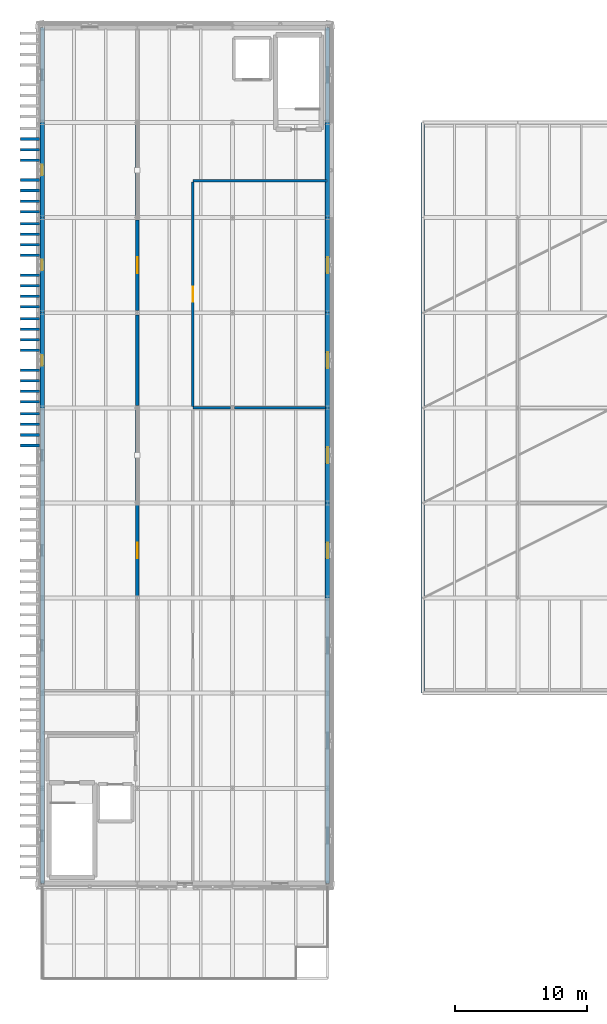
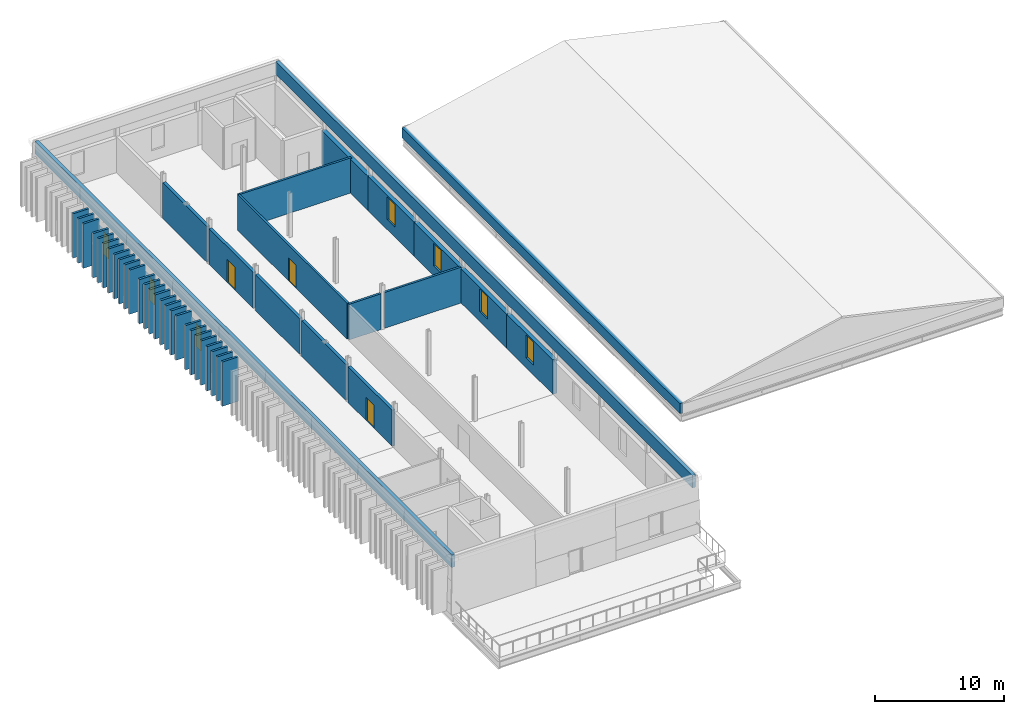
# One storey, part 33 of 44: 47 walls, 7 windows, 3 doors, 10 openings.
"""IFC4 building model written with IfcOpenShell, lengths in metres."""

import ifcopenshell
import ifcopenshell.guid

model = None  # the IFC model being written
_history = None  # IfcOwnerHistory: only IFC2X3 demands one
_inside = {}  # id of a spatial element -> (the spatial element, [elements in it])
_under = {}  # id of a project, library or spatial element -> (it, [spatial elements below it])
_declared = {}  # id of a project -> (the project, [libraries it declares])
_typed = {}  # id of a type object -> (the type object, [elements of that type])
_made_of = {}  # id of a material, layer set ... -> (it, [elements and type objects made of it])


def new_model(schema):
    """Start an empty IFC model of exactly this schema.

    Asked for "IFC4X3", IfcOpenShell would pick the latest addendum, in which some entities
    have other attributes; the version numbers below select the first issue.
    IFC2X3 requires an IfcOwnerHistory on every rooted entity: one is made here for all.
    """
    global model, _history
    if schema == "IFC4X3":
        model = ifcopenshell.file(schema_version=(4, 3, 0, 0))
    else:
        model = ifcopenshell.file(schema=schema)
    _inside.clear()
    _under.clear()
    _declared.clear()
    _typed.clear()
    _made_of.clear()
    _history = None
    if model.schema == "IFC2X3":
        org = make("IfcOrganization", Name="unknown")
        user = make(
            "IfcPersonAndOrganization",
            ThePerson=make("IfcPerson", FamilyName="unknown"),
            TheOrganization=org,
        )
        app = make(
            "IfcApplication",
            ApplicationDeveloper=org,
            Version="unknown",
            ApplicationFullName="unknown",
            ApplicationIdentifier="unknown",
        )
        _history = make(
            "IfcOwnerHistory",
            OwningUser=user,
            OwningApplication=app,
            ChangeAction="ADDED",
            CreationDate=0,
        )
    return model


def make(cls, **values):
    """One entity of the class cls with the attributes given. An attribute that is None is left unset."""
    return model.create_entity(
        cls, **{name: value for name, value in values.items() if value is not None}
    )


def rooted(cls, **values):
    """An entity with a GlobalId (a new one), such as an element, a storey or a relation."""
    return make(cls, GlobalId=ifcopenshell.guid.new(), OwnerHistory=_history, **values)


def si_unit(unit_type, name, prefix=None):
    """IfcSIUnit, for example si_unit("LENGTHUNIT", "METRE", prefix="MILLI")."""
    return make("IfcSIUnit", UnitType=unit_type, Prefix=prefix, Name=name)


def assignment(units):
    """IfcUnitAssignment: the units of a project."""
    return None if units is None else make("IfcUnitAssignment", Units=units)


def point(xyz):
    """IfcCartesianPoint."""
    return None if xyz is None else make("IfcCartesianPoint", Coordinates=xyz)


def direction(xyz):
    """IfcDirection."""
    return None if xyz is None else make("IfcDirection", DirectionRatios=xyz)


def frame(location, z_axis=None, x_axis=None):
    """IfcAxis2Placement3D, a coordinate frame: its origin and axes. An axis left out is left unset."""
    return make(
        "IfcAxis2Placement3D",
        Location=point(location),
        Axis=direction(z_axis),
        RefDirection=direction(x_axis),
    )


def frame_2d(location, x_axis=None):
    """IfcAxis2Placement2D, a coordinate frame in the plane: its origin and x axis."""
    return make(
        "IfcAxis2Placement2D", Location=point(location), RefDirection=direction(x_axis)
    )


def origin():
    """The frame at (0, 0, 0) with its axes left unset."""
    return frame((0.0, 0.0, 0.0))


def place(relative_to, where):
    """IfcLocalPlacement: puts the frame where relative to a parent placement (None: the world)."""
    return make(
        "IfcLocalPlacement", PlacementRelTo=relative_to, RelativePlacement=where
    )


def context(
    kind, dimensions, precision=None, world=None, true_north=None, identifier=None
):
    """IfcGeometricRepresentationContext, for example the 3D "Model" context."""
    return make(
        "IfcGeometricRepresentationContext",
        ContextIdentifier=identifier,
        ContextType=kind,
        CoordinateSpaceDimension=dimensions,
        Precision=precision,
        WorldCoordinateSystem=world,
        TrueNorth=true_north,
    )


def subcontext(parent, identifier, kind, view, scale=None):
    """IfcGeometricRepresentationSubContext, for example "Body" below "Model"."""
    return make(
        "IfcGeometricRepresentationSubContext",
        ContextIdentifier=identifier,
        ContextType=kind,
        ParentContext=parent,
        TargetScale=scale,
        TargetView=view,
    )


def project(units=None, contexts=None):
    """IfcProject with its units and contexts."""
    return rooted(
        "IfcProject",
        Name="project",
        RepresentationContexts=contexts,
        UnitsInContext=assignment(units),
    )


def spatial(cls, under=None, at=None, **own):
    """A site, building, storey or space (cls), placed at a placement, below another one or the project."""
    s = rooted(cls, ObjectPlacement=at, **own)
    if under is not None:
        _under.setdefault(under.id(), (under, []))[1].append(s)
    return s


def profile(cls, at=None, kind="AREA", **sizes):
    """A parametric profile (cls). Its sizes go by their IFC names, for example OverallWidth=200.0."""
    return make(cls, ProfileType=kind, Position=at, **sizes)


def rectangle(**sizes):
    """IfcRectangleProfileDef."""
    return profile("IfcRectangleProfileDef", **sizes)


def extrude(swept, where, along, depth):
    """IfcExtrudedAreaSolid: the profile swept, set in the frame where, extruded along a direction by depth."""
    return make(
        "IfcExtrudedAreaSolid",
        SweptArea=swept,
        Position=where,
        ExtrudedDirection=direction(along),
        Depth=depth,
    )


def shape(context_of_items, identifier, shape_type, items):
    """IfcShapeRepresentation: the items that make up one representation, for example the "Body"."""
    return make(
        "IfcShapeRepresentation",
        ContextOfItems=context_of_items,
        RepresentationIdentifier=identifier,
        RepresentationType=shape_type,
        Items=items,
    )


def material(Name=None, Category=None):
    """IfcMaterial."""
    return make("IfcMaterial", Name=Name, Category=Category)


def layer(
    of_material, thickness, ventilated=None, Name=None, Category=None, Priority=None
):
    """IfcMaterialLayer: one layer of a wall or slab, of a material (None: an air gap)."""
    return make(
        "IfcMaterialLayer",
        Material=of_material,
        LayerThickness=thickness,
        IsVentilated=ventilated,
        Name=Name,
        Category=Category,
        Priority=Priority,
    )


def layer_set(layers, Name=None):
    """IfcMaterialLayerSet."""
    return make("IfcMaterialLayerSet", MaterialLayers=layers, LayerSetName=Name)


def made_of(thing, what):
    """Note that an element or type object is made of a material, layer set ...; save() writes the relation."""
    if what is not None:
        _made_of.setdefault(what.id(), (what, []))[1].append(thing)
    return thing


def type_object(cls, material=None, **own):
    """A type object (cls), such as IfcWallType, which elements share."""
    return made_of(rooted(cls, **own), material)


def element(
    cls,
    number,
    at=None,
    inside=None,
    cuts=None,
    type_object=None,
    material=None,
    context=None,
    identifier="Body",
    shape_type=None,
    held_by="IfcProductDefinitionShape",
    body=None,
    shapes=None,
    **own,
):
    """One element of the class cls, such as IfcWall. Its Tag is "e" and its number.

    at: its placement. inside: the storey or other place that contains it. cuts: it is an
    opening in that element (IfcRelVoidsElement). A single representation is given by context,
    identifier, shape_type and body (its items); several are given by shapes. held_by: the class
    of the entity that holds the representations. save() writes the other relations.
    """
    e = rooted(cls, Tag="e%d" % number, ObjectPlacement=at, **own)
    if body is not None:
        shapes = [shape(context, identifier, shape_type, body)]
    if shapes is not None:
        e.Representation = make(held_by, Representations=shapes)
    if inside is not None:
        _inside.setdefault(inside.id(), (inside, []))[1].append(e)
    if cuts is not None:
        rooted(
            "IfcRelVoidsElement", RelatingBuildingElement=cuts, RelatedOpeningElement=e
        )
    if type_object is not None:
        _typed.setdefault(type_object.id(), (type_object, []))[1].append(e)
    return made_of(e, material)


def fill(opening, filler):
    """IfcRelFillsElement: the door or window that sits in an opening."""
    return rooted(
        "IfcRelFillsElement",
        RelatingOpeningElement=opening,
        RelatedBuildingElement=filler,
    )


def aggregate(whole, parts):
    """IfcRelAggregates: a whole, such as a stair, and the parts it consists of."""
    return rooted("IfcRelAggregates", RelatingObject=whole, RelatedObjects=parts)


def save(model, path):
    """Write the relations noted so far, then the file.

    IfcRelAggregates (storeys below a building ...), IfcRelContainedInSpatialStructure (elements
    in a storey), IfcRelDefinesByType, IfcRelAssociatesMaterial and IfcRelDeclares: one each for
    every whole, place, type object, material and project.
    """
    for whole, parts in _under.values():
        aggregate(whole, parts)
    for where, things in _inside.values():
        rooted(
            "IfcRelContainedInSpatialStructure",
            RelatedElements=things,
            RelatingStructure=where,
        )
    for kind, things in _typed.values():
        rooted("IfcRelDefinesByType", RelatedObjects=things, RelatingType=kind)
    for what, things in _made_of.values():
        rooted("IfcRelAssociatesMaterial", RelatedObjects=things, RelatingMaterial=what)
    for by, libraries in _declared.values():
        rooted("IfcRelDeclares", RelatingContext=by, RelatedDefinitions=libraries)
    model.write(path)


model = new_model("IFC4")

# Units and contexts
model_context = context("Model", 3, precision=1e-05, world=origin(), true_north=direction((0.0, 1.0)))
body_context = subcontext(model_context, "Body", "Model", "MODEL_VIEW")
ifc_project = project(units=[si_unit("LENGTHUNIT", "METRE"), si_unit("AREAUNIT", "SQUARE_METRE"), si_unit("VOLUMEUNIT", "CUBIC_METRE"), si_unit("PLANEANGLEUNIT", "RADIAN"), si_unit("MASSUNIT", "GRAM", prefix="KILO")], contexts=[model_context])

# Site, building, storey
site_placement = place(None, origin())
site = spatial("IfcSite", under=ifc_project, at=site_placement, CompositionType="ELEMENT")
building_placement = place(site_placement, origin())
building = spatial("IfcBuilding", under=site, at=building_placement, Name="Narikvali Park Central Library", CompositionType="ELEMENT")
storey_placement = place(building_placement, frame((0.0, 0.0, 22.800048828125)))
storey = spatial("IfcBuildingStorey", under=building, at=storey_placement, Name="L05", CompositionType="ELEMENT", Elevation=22.800048828125)

# Walls
ifc_material_1 = material(Name="Cleanroom Gypsum on Steel Studs", Category="steel")
ifc_layer_1 = layer(ifc_material_1, 0.18994140625, Name="Cleanroom Gypsum on Steel Studs")
ifc_layer_set_1 = layer_set([ifc_layer_1], Name="Cleanroom Gypsum on Steel Studs")
wall_type_1 = type_object("IfcWallType", Name="Conservation Lab Partition Wall 190", PredefinedType="PARTITIONING", material=ifc_layer_set_1)
wall_1_placement = place(storey_placement, frame((11.39990234375, 79.199951171875, 0.0), z_axis=(0.0, 0.0, 1.0), x_axis=(1.0, 0.0, 0.0)))
element("IfcWall", 1, at=wall_1_placement, inside=storey, type_object=wall_type_1, Name="Curators and Conservation Office Partition S", PredefinedType="PARTITIONING", context=body_context, shape_type="SweptSolid", body=[
    extrude(rectangle(XDim=2.84619140625, YDim=0.18994140625, at=frame_2d((1.423095703125, 0.0))), origin(), (0.0, 0.0, 1.0), 3.39501953125),
])
wall_2_placement = place(storey_placement, frame((14.553955078125, 79.199951171875, 0.0), z_axis=(0.0, 0.0, 1.0), x_axis=(1.0, 0.0, 0.0)))
element("IfcWall", 2, at=wall_2_placement, inside=storey, type_object=wall_type_1, Name="Curators and Conservation Office Partition S", PredefinedType="PARTITIONING", context=body_context, shape_type="SweptSolid", body=[
    extrude(rectangle(XDim=6.89208984375, YDim=0.18994140625, at=frame_2d((3.446044921875, 0.0))), origin(), (0.0, 0.0, 1.0), 3.39501953125),
])
wall_3_placement = place(storey_placement, frame((11.39990234375, 96.39990234375, 0.0), z_axis=(0.0, 0.0, 1.0), x_axis=(1.0, 0.0, 0.0)))
element("IfcWall", 3, at=wall_3_placement, inside=storey, type_object=wall_type_1, Name="Curators and Conservation Office Partition N", PredefinedType="PARTITIONING", context=body_context, shape_type="SweptSolid", body=[
    extrude(rectangle(XDim=10.14501953125, YDim=0.18994140625, at=frame_2d((5.072509765625, 0.0))), origin(), (0.0, 0.0, 1.0), 3.344970703125),
])

# Wall, opening, door
wall_4_placement = place(storey_placement, frame((11.39990234375, 79.297119140625, 0.0), z_axis=(0.0, 0.0, 1.0), x_axis=(0.0, 1.0, 0.0)))
wall_4 = element("IfcWall", 4, at=wall_4_placement, inside=storey, type_object=wall_type_1, Name="Curators and Conservation Office Partition W", PredefinedType="PARTITIONING", context=body_context, shape_type="SweptSolid", body=[
    extrude(rectangle(XDim=17.005859375, YDim=0.18994140625, at=frame_2d((8.5029296875, 0.0))), origin(), (0.0, 0.0, 1.0), 3.39501953125),
])
opening_1_placement = place(wall_4_placement, frame((7.927978515625, 0.0, 0.0)))
opening_1 = element("IfcOpeningElement", 5, at=opening_1_placement, cuts=wall_4, Name="Opening ID-0138", PredefinedType="OPENING", context=body_context, shape_type="SweptSolid", body=[
    extrude(rectangle(XDim=1.14990234375, YDim=2.199951171875, at=frame_2d((0.574951171875, 1.10009765625))), frame((0.0, 0.10693359375, 0.0), z_axis=(0.0, -1.0, 0.0), x_axis=(1.0, 0.0, 0.0)), (0.0, 0.0, 1.0), 0.2138671875),
])
ifc_material_2 = material(Name="Powder-Coated Steel S275", Category="steel")
door_type_1 = type_object("IfcDoorType", Name="Conservation Lab Clean Door 1150x2200", OperationType="SINGLE_SWING_RIGHT", PredefinedType="DOOR", material=ifc_material_2)
door_1_placement = place(opening_1_placement, frame((1.14990234375, 0.0, 0.0), z_axis=(0.0, 0.0, 1.0), x_axis=(-1.0, 0.0, 0.0)))
door_1 = element("IfcDoor", 6, at=door_1_placement, inside=storey, type_object=door_type_1, Name="Curators and Conservation Office Door ID-0138", OperationType="SINGLE_SWING_RIGHT", OverallHeight=2.199951171875, OverallWidth=1.14990234375, PredefinedType="DOOR", context=body_context, shape_type="SweptSolid", body=[
    extrude(rectangle(XDim=1.14990234375, YDim=2.199951171875, at=frame_2d((0.574951171875, 1.10009765625))), frame((0.0, 0.02490234375, 0.0), z_axis=(0.0, -1.0, 0.0), x_axis=(1.0, 0.0, 0.0)), (0.0, 0.0, 1.0), 0.050048828125),
])
fill(opening_1, door_1)

# Walls
ifc_material_3 = material(Name="Kiln-Fired Terracotta Red Brick Masonry", Category="masonry")
ifc_layer_2 = layer(ifc_material_3, 0.199951171875, Name="Kiln-Fired Terracotta Red Brick Masonry")
ifc_layer_set_2 = layer_set([ifc_layer_2], Name="Kiln-Fired Terracotta Red Brick Masonry")
wall_type_2 = type_object("IfcWallType", Name="Kiln-Fired Red Brick Vertical Fin Wall 200", PredefinedType="SOLIDWALL", material=ifc_layer_set_2)
for number, where, z_axis, x_axis, name in (
    (7, (-1.659912109375, 76.35009765625, 0.0), (0.0, 0.0, 1.0), (1.0, 0.0, 0.0), "West Stacks Red Brick Vertical Fin Pier 294"),
    (8, (-1.659912109375, 77.14990234375, 0.0), (0.0, 0.0, 1.0), (1.0, 0.0, 0.0), "West Stacks Red Brick Vertical Fin Pier 300"),
    (9, (-1.659912109375, 77.949951171875, 0.0), (0.0, 0.0, 1.0), (1.0, 0.0, 0.0), "West Stacks Red Brick Vertical Fin Pier 306"),
    (10, (-1.659912109375, 78.75, 0.0), (0.0, 0.0, 1.0), (1.0, 0.0, 0.0), "West Stacks Red Brick Vertical Fin Pier 312"),
    (11, (-1.659912109375, 79.64990234375, 0.0), (0.0, 0.0, 1.0), (1.0, 0.0, 0.0), "West Stacks Red Brick Vertical Fin Pier 318"),
    (12, (-1.659912109375, 80.449951171875, 0.0), (0.0, 0.0, 1.0), (1.0, 0.0, 0.0), "West Stacks Red Brick Vertical Fin Pier 324"),
    (13, (-1.659912109375, 81.25, 0.0), (0.0, 0.0, 1.0), (1.0, 0.0, 0.0), "West Stacks Red Brick Vertical Fin Pier 330"),
    (14, (-1.659912109375, 82.050048828125, 0.0), (0.0, 0.0, 1.0), (1.0, 0.0, 0.0), "West Stacks Red Brick Vertical Fin Pier 336"),
    (15, (-1.659912109375, 83.550048828125, 0.0), (0.0, 0.0, 1.0), (1.0, 0.0, 0.0), "West Stacks Red Brick Vertical Fin Pier 342"),
    (16, (-1.659912109375, 84.35009765625, 0.0), (0.0, 0.0, 1.0), (1.0, 0.0, 0.0), "West Stacks Red Brick Vertical Fin Pier 348"),
    (17, (-1.659912109375, 85.14990234375, 0.0), (0.0, 0.0, 1.0), (1.0, 0.0, 0.0), "West Stacks Red Brick Vertical Fin Pier 354"),
    (18, (-1.659912109375, 85.949951171875, 0.0), (0.0, 0.0, 1.0), (1.0, 0.0, 0.0), "West Stacks Red Brick Vertical Fin Pier 360"),
    (19, (-1.659912109375, 86.85009765625, 0.0), (0.0, 0.0, 1.0), (1.0, 0.0, 0.0), "West Stacks Red Brick Vertical Fin Pier 366"),
    (20, (-1.659912109375, 87.64990234375, 0.0), (0.0, 0.0, 1.0), (1.0, 0.0, 0.0), "West Stacks Red Brick Vertical Fin Pier 372"),
    (21, (-1.659912109375, 88.449951171875, 0.0), (0.0, 0.0, 1.0), (1.0, 0.0, 0.0), "West Stacks Red Brick Vertical Fin Pier 378"),
    (22, (-1.659912109375, 89.25, 0.0), (0.0, 0.0, 1.0), (1.0, 0.0, 0.0), "West Stacks Red Brick Vertical Fin Pier 384"),
    (23, (-1.659912109375, 90.75, 0.0), (0.0, 0.0, 1.0), (1.0, 0.0, 0.0), "West Stacks Red Brick Vertical Fin Pier 390"),
    (24, (-1.659912109375, 91.550048828125, 0.0), (0.0, 0.0, 1.0), (1.0, 0.0, 0.0), "West Stacks Red Brick Vertical Fin Pier 396"),
    (25, (-1.659912109375, 92.35009765625, 0.0), (0.0, 0.0, 1.0), (1.0, 0.0, 0.0), "West Stacks Red Brick Vertical Fin Pier 402"),
    (26, (-1.659912109375, 93.14990234375, 0.0), (0.0, 0.0, 1.0), (1.0, 0.0, 0.0), "West Stacks Red Brick Vertical Fin Pier 408"),
    (27, (-1.659912109375, 94.050048828125, 0.0), (0.0, 0.0, 1.0), (1.0, 0.0, 0.0), "West Stacks Red Brick Vertical Fin Pier 414"),
    (28, (-1.659912109375, 94.85009765625, 0.0), (0.0, 0.0, 1.0), (1.0, 0.0, 0.0), "West Stacks Red Brick Vertical Fin Pier 420"),
    (29, (-1.659912109375, 95.64990234375, 0.0), (0.0, 0.0, 1.0), (1.0, 0.0, 0.0), "West Stacks Red Brick Vertical Fin Pier 426"),
    (30, (-1.659912109375, 96.449951171875, 0.0), (0.0, 0.0, 1.0), (1.0, 0.0, 0.0), "West Stacks Red Brick Vertical Fin Pier 432"),
    (31, (-1.659912109375, 97.949951171875, 0.0), (0.0, 0.0, 1.0), (1.0, 0.0, 0.0), "West Stacks Red Brick Vertical Fin Pier 438"),
    (32, (-1.659912109375, 98.75, 0.0), (0.0, 0.0, 1.0), (1.0, 0.0, 0.0), "West Stacks Red Brick Vertical Fin Pier 444"),
    (33, (-1.659912109375, 99.550048828125, 0.0), (0.0, 0.0, 1.0), (1.0, 0.0, 0.0), "West Stacks Red Brick Vertical Fin Pier 450"),
):
    element("IfcWall", number, at=place(storey_placement, frame(where, z_axis=z_axis, x_axis=x_axis)), inside=storey, type_object=wall_type_2, Name=name, PredefinedType="SOLIDWALL", context=body_context, shape_type="SweptSolid", body=[
        extrude(rectangle(XDim=1.43994140625, YDim=0.199951171875, at=frame_2d((0.719970703125, 0.0))), origin(), (0.0, 0.0, 1.0), 4.199951171875),
    ])
ifc_material_4 = material(Name="White Honed Limestone over Concrete C35/45", Category="masonry")
ifc_layer_3 = layer(ifc_material_4, 0.300048828125, Name="White Honed Limestone over Concrete C35/45")
ifc_layer_set_3 = layer_set([ifc_layer_3], Name="White Honed Limestone over Concrete C35/45")
wall_type_3 = type_object("IfcWallType", Name="Limestone Coping Parapet Wall 300", PredefinedType="PARAPET", material=ifc_layer_set_3)
wall_5_placement = place(storey_placement, frame((28.800048828125, 100.800048828125, 0.0), z_axis=(0.0, 0.0, 1.0), x_axis=(0.0, -1.0, 0.0)))
element("IfcWall", 34, at=wall_5_placement, inside=storey, type_object=wall_type_3, Name="V4 L05 Roof Limestone Parapet W", PredefinedType="PARAPET", context=body_context, shape_type="SweptSolid", body=[
    extrude(rectangle(XDim=43.199951171875, YDim=0.300048828125, at=frame_2d((21.60009765625, 0.0))), origin(), (0.0, 0.0, 1.0), 0.949951171875),
])
for number, where, z_axis, x_axis, name in (
    (35, (21.60009765625, 43.199951171875, 4.199951171875), (0.0, 0.0, 1.0), (0.0, 1.0, 0.0), "V5 Roof Roof Limestone Parapet E"),
    (36, (0.0, 108.0, 4.199951171875), (0.0, 0.0, 1.0), (0.0, -1.0, 0.0), "V5 Roof Roof Limestone Parapet W"),
):
    element("IfcWall", number, at=place(storey_placement, frame(where, z_axis=z_axis, x_axis=x_axis)), inside=storey, type_object=wall_type_3, Name=name, PredefinedType="PARAPET", context=body_context, shape_type="SweptSolid", body=[
        extrude(rectangle(XDim=64.800048828125, YDim=0.300048828125, at=frame_2d((32.39990234375, 0.0))), origin(), (0.0, 0.0, 1.0), 1.199951171875),
    ])

# Wall, opening, door
ifc_material_5 = material(Name="High-Density Concrete Blockwork C35/45", Category="masonry")
ifc_layer_4 = layer(ifc_material_5, 0.27001953125, Name="High-Density Concrete Blockwork C35/45")
ifc_layer_set_4 = layer_set([ifc_layer_4], Name="High-Density Concrete Blockwork C35/45")
wall_type_4 = type_object("IfcWallType", Name="Rare Books Vault Partition Wall 270", PredefinedType="SOLIDWALL", material=ifc_layer_set_4)
wall_6_placement = place(storey_placement, frame((7.199951171875, 64.964111328125, 0.0), z_axis=(0.0, 0.0, 1.0), x_axis=(0.0, 1.0, 0.0)))
wall_6 = element("IfcWall", 37, at=wall_6_placement, inside=storey, type_object=wall_type_4, Name="Rare Books Climate Vault L05 Partition E", PredefinedType="SOLIDWALL", context=body_context, shape_type="SweptSolid", body=[
    extrude(rectangle(XDim=6.871826171875, YDim=0.27001953125, at=frame_2d((3.43603515625, 0.0))), origin(), (0.0, 0.0, 1.0), 3.405029296875),
])
opening_2_placement = place(wall_6_placement, frame((2.8359375, 0.0, 0.0)))
opening_2 = element("IfcOpeningElement", 38, at=opening_2_placement, cuts=wall_6, Name="Opening ID-0141", PredefinedType="OPENING", context=body_context, shape_type="SweptSolid", body=[
    extrude(rectangle(XDim=1.199951171875, YDim=2.199951171875, at=frame_2d((0.60009765625, 1.10009765625))), frame((0.0, 0.14697265625, 0.0), z_axis=(0.0, -1.0, 0.0), x_axis=(1.0, 0.0, 0.0)), (0.0, 0.0, 1.0), 0.2939453125),
])
ifc_material_6 = material(Name="Insulated Steel S355 Vault Leaf", Category="steel")
door_type_2 = type_object("IfcDoorType", Name="Archive Vault Heavy Fire Door 1200x2200", OperationType="SINGLE_SWING_LEFT", PredefinedType="DOOR", material=ifc_material_6)
door_2_placement = place(opening_2_placement, origin())
door_2 = element("IfcDoor", 39, at=door_2_placement, inside=storey, type_object=door_type_2, Name="Rare Books Climate Vault L05 Door ID-0141", OperationType="SINGLE_SWING_LEFT", OverallHeight=2.199951171875, OverallWidth=1.199951171875, PredefinedType="DOOR", context=body_context, shape_type="SweptSolid", body=[
    extrude(rectangle(XDim=1.199951171875, YDim=2.199951171875, at=frame_2d((0.60009765625, 1.10009765625))), frame((0.0, 0.02490234375, 0.0), z_axis=(0.0, -1.0, 0.0), x_axis=(1.0, 0.0, 0.0)), (0.0, 0.0, 1.0), 0.050048828125),
])
fill(opening_2, door_2)

# Walls
wall_7_placement = place(storey_placement, frame((7.199951171875, 72.1640625, 0.0), z_axis=(0.0, 0.0, 1.0), x_axis=(0.0, 1.0, 0.0)))
element("IfcWall", 40, at=wall_7_placement, inside=storey, type_object=wall_type_4, Name="Rare Books Climate Vault L05 Partition E", PredefinedType="SOLIDWALL", context=body_context, shape_type="SweptSolid", body=[
    extrude(rectangle(XDim=6.871826171875, YDim=0.27001953125, at=frame_2d((3.43603515625, 0.0))), origin(), (0.0, 0.0, 1.0), 3.405029296875),
])
wall_8_placement = place(storey_placement, frame((7.199951171875, 79.364013671875, 0.0), z_axis=(0.0, 0.0, 1.0), x_axis=(0.0, 1.0, 0.0)))
element("IfcWall", 41, at=wall_8_placement, inside=storey, type_object=wall_type_4, Name="Rare Books Climate Vault L05 Partition E", PredefinedType="SOLIDWALL", context=body_context, shape_type="SweptSolid", body=[
    extrude(rectangle(XDim=6.8720703125, YDim=0.27001953125, at=frame_2d((3.43603515625, 0.0))), origin(), (0.0, 0.0, 1.0), 3.405029296875),
])

# Wall, opening, door
wall_9_placement = place(storey_placement, frame((7.199951171875, 86.56396484375, 0.0), z_axis=(0.0, 0.0, 1.0), x_axis=(0.0, 1.0, 0.0)))
wall_9 = element("IfcWall", 42, at=wall_9_placement, inside=storey, type_object=wall_type_4, Name="Rare Books Climate Vault L05 Partition E", PredefinedType="SOLIDWALL", context=body_context, shape_type="SweptSolid", body=[
    extrude(rectangle(XDim=6.8720703125, YDim=0.27001953125, at=frame_2d((3.43603515625, 0.0))), origin(), (0.0, 0.0, 1.0), 3.405029296875),
])
opening_3_placement = place(wall_9_placement, frame((2.8359375, 0.0, 0.0)))
opening_3 = element("IfcOpeningElement", 43, at=opening_3_placement, cuts=wall_9, Name="Opening ID-0140", PredefinedType="OPENING", context=body_context, shape_type="SweptSolid", body=[
    extrude(rectangle(XDim=1.199951171875, YDim=2.199951171875, at=frame_2d((0.60009765625, 1.10009765625))), frame((0.0, 0.14697265625, 0.0), z_axis=(0.0, -1.0, 0.0), x_axis=(1.0, 0.0, 0.0)), (0.0, 0.0, 1.0), 0.2939453125),
])
door_3_placement = place(opening_3_placement, origin())
door_3 = element("IfcDoor", 44, at=door_3_placement, inside=storey, type_object=door_type_2, Name="Rare Books Climate Vault L05 Door ID-0140", OperationType="SINGLE_SWING_RIGHT", OverallHeight=2.199951171875, OverallWidth=1.199951171875, PredefinedType="DOOR", context=body_context, shape_type="SweptSolid", body=[
    extrude(rectangle(XDim=1.199951171875, YDim=2.199951171875, at=frame_2d((0.60009765625, 1.10009765625))), frame((0.0, 0.02490234375, 0.0), z_axis=(0.0, -1.0, 0.0), x_axis=(1.0, 0.0, 0.0)), (0.0, 0.0, 1.0), 0.050048828125),
])
fill(opening_3, door_3)

# Wall
wall_10_placement = place(storey_placement, frame((7.199951171875, 93.763916015625, 0.0), z_axis=(0.0, 0.0, 1.0), x_axis=(0.0, 1.0, 0.0)))
element("IfcWall", 45, at=wall_10_placement, inside=storey, type_object=wall_type_4, Name="Rare Books Climate Vault L05 Partition E", PredefinedType="SOLIDWALL", context=body_context, shape_type="SweptSolid", body=[
    extrude(rectangle(XDim=6.8720703125, YDim=0.27001953125, at=frame_2d((3.43603515625, 0.0))), origin(), (0.0, 0.0, 1.0), 3.405029296875),
])

# Wall, opening, window
ifc_layer_5 = layer(ifc_material_4, 0.360107421875, Name="White Honed Limestone over Concrete C35/45")
ifc_layer_set_5 = layer_set([ifc_layer_5], Name="White Honed Limestone over Concrete C35/45")
wall_type_5 = type_object("IfcWallType", Name="White Limestone Attic Clerestory Wall 360", PredefinedType="SOLIDWALL", material=ifc_layer_set_5)
wall_11_placement = place(storey_placement, frame((21.60009765625, 64.800048828125, 0.0), z_axis=(0.0, 0.0, 1.0), x_axis=(0.0, 1.0, 0.0)))
wall_11 = element("IfcWall", 46, at=wall_11_placement, inside=storey, type_object=wall_type_5, Name="V5 L05 E Exterior Limestone Wall B04", PredefinedType="SOLIDWALL", context=body_context, shape_type="SweptSolid", body=[
    extrude(rectangle(XDim=7.199951171875, YDim=0.360107421875, at=frame_2d((3.60009765625, 0.0))), origin(), (0.0, 0.0, 1.0), 3.239990234375),
])
opening_4_placement = place(wall_11_placement, frame((3.0, 0.0, 0.949951171875)))
opening_4 = element("IfcOpeningElement", 47, at=opening_4_placement, cuts=wall_11, Name="Opening WIN-0332", PredefinedType="OPENING", context=body_context, shape_type="SweptSolid", body=[
    extrude(rectangle(XDim=1.199951171875, YDim=2.14990234375, at=frame_2d((0.60009765625, 1.074951171875))), frame((0.0, 0.19189453125, 0.0), z_axis=(0.0, -1.0, 0.0), x_axis=(1.0, 0.0, 0.0)), (0.0, 0.0, 1.0), 0.384033203125),
])
ifc_material_7 = material(Name="Anodised Bronze Aluminium and Low-E Triple Glazing", Category="aluminium")
window_type_1 = type_object("IfcWindowType", Name="Stacks Archive Deep-Reveal Punched Window 1200x2150", PartitioningType="SINGLE_PANEL", PredefinedType="WINDOW", material=ifc_material_7)
window_1_placement = place(opening_4_placement, origin())
window_1 = element("IfcWindow", 48, at=window_1_placement, inside=storey, type_object=window_type_1, Name="V5 L05 E Deep-Reveal Window WIN-0332", OverallHeight=2.14990234375, OverallWidth=1.199951171875, PartitioningType="SINGLE_PANEL", PredefinedType="WINDOW", context=body_context, shape_type="SweptSolid", body=[
    extrude(rectangle(XDim=1.199951171875, YDim=2.14990234375, at=frame_2d((0.60009765625, 1.074951171875))), frame((0.0, 0.030029296875, 0.0), z_axis=(0.0, -1.0, 0.0), x_axis=(1.0, 0.0, 0.0)), (0.0, 0.0, 1.0), 0.06005859375),
])
fill(opening_4, window_1)

wall_12_placement = place(storey_placement, frame((21.60009765625, 72.0, 0.0), z_axis=(0.0, 0.0, 1.0), x_axis=(0.0, 1.0, 0.0)))
wall_12 = element("IfcWall", 49, at=wall_12_placement, inside=storey, type_object=wall_type_5, Name="V5 L05 E Exterior Limestone Wall B05", PredefinedType="SOLIDWALL", context=body_context, shape_type="SweptSolid", body=[
    extrude(rectangle(XDim=7.199951171875, YDim=0.360107421875, at=frame_2d((3.60009765625, 0.0))), origin(), (0.0, 0.0, 1.0), 3.239990234375),
])
opening_5_placement = place(wall_12_placement, frame((3.0, 0.0, 0.949951171875)))
opening_5 = element("IfcOpeningElement", 50, at=opening_5_placement, cuts=wall_12, Name="Opening WIN-0333", PredefinedType="OPENING", context=body_context, shape_type="SweptSolid", body=[
    extrude(rectangle(XDim=1.199951171875, YDim=2.14990234375, at=frame_2d((0.60009765625, 1.074951171875))), frame((0.0, 0.19189453125, 0.0), z_axis=(0.0, -1.0, 0.0), x_axis=(1.0, 0.0, 0.0)), (0.0, 0.0, 1.0), 0.384033203125),
])
window_2_placement = place(opening_5_placement, origin())
window_2 = element("IfcWindow", 51, at=window_2_placement, inside=storey, type_object=window_type_1, Name="V5 L05 E Deep-Reveal Window WIN-0333", OverallHeight=2.14990234375, OverallWidth=1.199951171875, PartitioningType="SINGLE_PANEL", PredefinedType="WINDOW", context=body_context, shape_type="SweptSolid", body=[
    extrude(rectangle(XDim=1.199951171875, YDim=2.14990234375, at=frame_2d((0.60009765625, 1.074951171875))), frame((0.0, 0.030029296875, 0.0), z_axis=(0.0, -1.0, 0.0), x_axis=(1.0, 0.0, 0.0)), (0.0, 0.0, 1.0), 0.06005859375),
])
fill(opening_5, window_2)

wall_13_placement = place(storey_placement, frame((21.60009765625, 79.199951171875, 0.0), z_axis=(0.0, 0.0, 1.0), x_axis=(0.0, 1.0, 0.0)))
wall_13 = element("IfcWall", 52, at=wall_13_placement, inside=storey, type_object=wall_type_5, Name="V5 L05 E Exterior Limestone Wall B06", PredefinedType="SOLIDWALL", context=body_context, shape_type="SweptSolid", body=[
    extrude(rectangle(XDim=7.199951171875, YDim=0.360107421875, at=frame_2d((3.60009765625, 0.0))), origin(), (0.0, 0.0, 1.0), 3.239990234375),
])
opening_6_placement = place(wall_13_placement, frame((3.0, 0.0, 0.949951171875)))
opening_6 = element("IfcOpeningElement", 53, at=opening_6_placement, cuts=wall_13, Name="Opening WIN-0334", PredefinedType="OPENING", context=body_context, shape_type="SweptSolid", body=[
    extrude(rectangle(XDim=1.199951171875, YDim=2.14990234375, at=frame_2d((0.60009765625, 1.074951171875))), frame((0.0, 0.19189453125, 0.0), z_axis=(0.0, -1.0, 0.0), x_axis=(1.0, 0.0, 0.0)), (0.0, 0.0, 1.0), 0.384033203125),
])
window_3_placement = place(opening_6_placement, origin())
window_3 = element("IfcWindow", 54, at=window_3_placement, inside=storey, type_object=window_type_1, Name="V5 L05 E Deep-Reveal Window WIN-0334", OverallHeight=2.14990234375, OverallWidth=1.199951171875, PartitioningType="SINGLE_PANEL", PredefinedType="WINDOW", context=body_context, shape_type="SweptSolid", body=[
    extrude(rectangle(XDim=1.199951171875, YDim=2.14990234375, at=frame_2d((0.60009765625, 1.074951171875))), frame((0.0, 0.030029296875, 0.0), z_axis=(0.0, -1.0, 0.0), x_axis=(1.0, 0.0, 0.0)), (0.0, 0.0, 1.0), 0.06005859375),
])
fill(opening_6, window_3)

wall_14_placement = place(storey_placement, frame((21.60009765625, 86.39990234375, 0.0), z_axis=(0.0, 0.0, 1.0), x_axis=(0.0, 1.0, 0.0)))
wall_14 = element("IfcWall", 55, at=wall_14_placement, inside=storey, type_object=wall_type_5, Name="V5 L05 E Exterior Limestone Wall B07", PredefinedType="SOLIDWALL", context=body_context, shape_type="SweptSolid", body=[
    extrude(rectangle(XDim=7.2001953125, YDim=0.360107421875, at=frame_2d((3.60009765625, 0.0))), origin(), (0.0, 0.0, 1.0), 3.239990234375),
])
opening_7_placement = place(wall_14_placement, frame((3.0, 0.0, 0.949951171875)))
opening_7 = element("IfcOpeningElement", 56, at=opening_7_placement, cuts=wall_14, Name="Opening WIN-0335", PredefinedType="OPENING", context=body_context, shape_type="SweptSolid", body=[
    extrude(rectangle(XDim=1.199951171875, YDim=2.14990234375, at=frame_2d((0.60009765625, 1.074951171875))), frame((0.0, 0.19189453125, 0.0), z_axis=(0.0, -1.0, 0.0), x_axis=(1.0, 0.0, 0.0)), (0.0, 0.0, 1.0), 0.384033203125),
])
window_4_placement = place(opening_7_placement, origin())
window_4 = element("IfcWindow", 57, at=window_4_placement, inside=storey, type_object=window_type_1, Name="V5 L05 E Deep-Reveal Window WIN-0335", OverallHeight=2.14990234375, OverallWidth=1.199951171875, PartitioningType="SINGLE_PANEL", PredefinedType="WINDOW", context=body_context, shape_type="SweptSolid", body=[
    extrude(rectangle(XDim=1.199951171875, YDim=2.14990234375, at=frame_2d((0.60009765625, 1.074951171875))), frame((0.0, 0.030029296875, 0.0), z_axis=(0.0, -1.0, 0.0), x_axis=(1.0, 0.0, 0.0)), (0.0, 0.0, 1.0), 0.06005859375),
])
fill(opening_7, window_4)

# Wall
wall_15_placement = place(storey_placement, frame((21.60009765625, 93.60009765625, 0.0), z_axis=(0.0, 0.0, 1.0), x_axis=(0.0, 1.0, 0.0)))
element("IfcWall", 58, at=wall_15_placement, inside=storey, type_object=wall_type_5, Name="V5 L05 E Exterior Limestone Wall B08", PredefinedType="SOLIDWALL", context=body_context, shape_type="SweptSolid", body=[
    extrude(rectangle(XDim=7.199951171875, YDim=0.360107421875, at=frame_2d((3.60009765625, 0.0))), origin(), (0.0, 0.0, 1.0), 3.239990234375),
])

# Wall, opening, window
wall_16_placement = place(storey_placement, frame((0.0, 100.800048828125, 0.0), z_axis=(0.0, 0.0, 1.0), x_axis=(0.0, -1.0, 0.0)))
wall_16 = element("IfcWall", 59, at=wall_16_placement, inside=storey, type_object=wall_type_5, Name="V5 L05 W Exterior Limestone Wall B02", PredefinedType="SOLIDWALL", context=body_context, shape_type="SweptSolid", body=[
    extrude(rectangle(XDim=7.199951171875, YDim=0.360107421875, at=frame_2d((3.60009765625, 0.0))), origin(), (0.0, 0.0, 1.0), 3.079833984375),
])
opening_8_placement = place(wall_16_placement, frame((3.199951171875, 0.0, 0.949951171875)))
opening_8 = element("IfcOpeningElement", 60, at=opening_8_placement, cuts=wall_16, Name="Opening WIN-0340", PredefinedType="OPENING", context=body_context, shape_type="SweptSolid", body=[
    extrude(rectangle(XDim=0.800048828125, YDim=2.14990234375, at=frame_2d((0.39990234375, 1.074951171875))), frame((0.0, 0.19189453125, 0.0), z_axis=(0.0, -1.0, 0.0), x_axis=(1.0, 0.0, 0.0)), (0.0, 0.0, 1.0), 0.384033203125),
])
window_type_2 = type_object("IfcWindowType", Name="West Fin-Bay Narrow Carrel Slot Window 800x2150", PartitioningType="SINGLE_PANEL", PredefinedType="WINDOW", material=ifc_material_7)
window_5_placement = place(opening_8_placement, origin())
window_5 = element("IfcWindow", 61, at=window_5_placement, inside=storey, type_object=window_type_2, Name="V5 L05 W Deep-Reveal Window WIN-0340", OverallHeight=2.14990234375, OverallWidth=0.800048828125, PartitioningType="SINGLE_PANEL", PredefinedType="WINDOW", context=body_context, shape_type="SweptSolid", body=[
    extrude(rectangle(XDim=0.800048828125, YDim=2.14990234375, at=frame_2d((0.39990234375, 1.074951171875))), frame((0.0, 0.030029296875, 0.0), z_axis=(0.0, -1.0, 0.0), x_axis=(1.0, 0.0, 0.0)), (0.0, 0.0, 1.0), 0.06005859375),
])
fill(opening_8, window_5)

wall_17_placement = place(storey_placement, frame((0.0, 93.60009765625, 0.0), z_axis=(0.0, 0.0, 1.0), x_axis=(0.0, -1.0, 0.0)))
wall_17 = element("IfcWall", 62, at=wall_17_placement, inside=storey, type_object=wall_type_5, Name="V5 L05 W Exterior Limestone Wall B03", PredefinedType="SOLIDWALL", context=body_context, shape_type="SweptSolid", body=[
    extrude(rectangle(XDim=7.2001953125, YDim=0.360107421875, at=frame_2d((3.60009765625, 0.0))), origin(), (0.0, 0.0, 1.0), 3.079833984375),
])
opening_9_placement = place(wall_17_placement, frame((3.199951171875, 0.0, 0.949951171875)))
opening_9 = element("IfcOpeningElement", 63, at=opening_9_placement, cuts=wall_17, Name="Opening WIN-0341", PredefinedType="OPENING", context=body_context, shape_type="SweptSolid", body=[
    extrude(rectangle(XDim=0.800048828125, YDim=2.14990234375, at=frame_2d((0.39990234375, 1.074951171875))), frame((0.0, 0.19189453125, 0.0), z_axis=(0.0, -1.0, 0.0), x_axis=(1.0, 0.0, 0.0)), (0.0, 0.0, 1.0), 0.384033203125),
])
window_6_placement = place(opening_9_placement, origin())
window_6 = element("IfcWindow", 64, at=window_6_placement, inside=storey, type_object=window_type_2, Name="V5 L05 W Deep-Reveal Window WIN-0341", OverallHeight=2.14990234375, OverallWidth=0.800048828125, PartitioningType="SINGLE_PANEL", PredefinedType="WINDOW", context=body_context, shape_type="SweptSolid", body=[
    extrude(rectangle(XDim=0.800048828125, YDim=2.14990234375, at=frame_2d((0.39990234375, 1.074951171875))), frame((0.0, 0.030029296875, 0.0), z_axis=(0.0, -1.0, 0.0), x_axis=(1.0, 0.0, 0.0)), (0.0, 0.0, 1.0), 0.06005859375),
])
fill(opening_9, window_6)

wall_18_placement = place(storey_placement, frame((0.0, 86.39990234375, 0.0), z_axis=(0.0, 0.0, 1.0), x_axis=(0.0, -1.0, 0.0)))
wall_18 = element("IfcWall", 65, at=wall_18_placement, inside=storey, type_object=wall_type_5, Name="V5 L05 W Exterior Limestone Wall B04", PredefinedType="SOLIDWALL", context=body_context, shape_type="SweptSolid", body=[
    extrude(rectangle(XDim=7.199951171875, YDim=0.360107421875, at=frame_2d((3.60009765625, 0.0))), origin(), (0.0, 0.0, 1.0), 3.079833984375),
])
opening_10_placement = place(wall_18_placement, frame((3.199951171875, 0.0, 0.949951171875)))
opening_10 = element("IfcOpeningElement", 66, at=opening_10_placement, cuts=wall_18, Name="Opening WIN-0342", PredefinedType="OPENING", context=body_context, shape_type="SweptSolid", body=[
    extrude(rectangle(XDim=0.800048828125, YDim=2.14990234375, at=frame_2d((0.39990234375, 1.074951171875))), frame((0.0, 0.19189453125, 0.0), z_axis=(0.0, -1.0, 0.0), x_axis=(1.0, 0.0, 0.0)), (0.0, 0.0, 1.0), 0.384033203125),
])
window_7_placement = place(opening_10_placement, origin())
window_7 = element("IfcWindow", 67, at=window_7_placement, inside=storey, type_object=window_type_2, Name="V5 L05 W Deep-Reveal Window WIN-0342", OverallHeight=2.14990234375, OverallWidth=0.800048828125, PartitioningType="SINGLE_PANEL", PredefinedType="WINDOW", context=body_context, shape_type="SweptSolid", body=[
    extrude(rectangle(XDim=0.800048828125, YDim=2.14990234375, at=frame_2d((0.39990234375, 1.074951171875))), frame((0.0, 0.030029296875, 0.0), z_axis=(0.0, -1.0, 0.0), x_axis=(1.0, 0.0, 0.0)), (0.0, 0.0, 1.0), 0.06005859375),
])
fill(opening_10, window_7)

save(model, "model.ifc")
